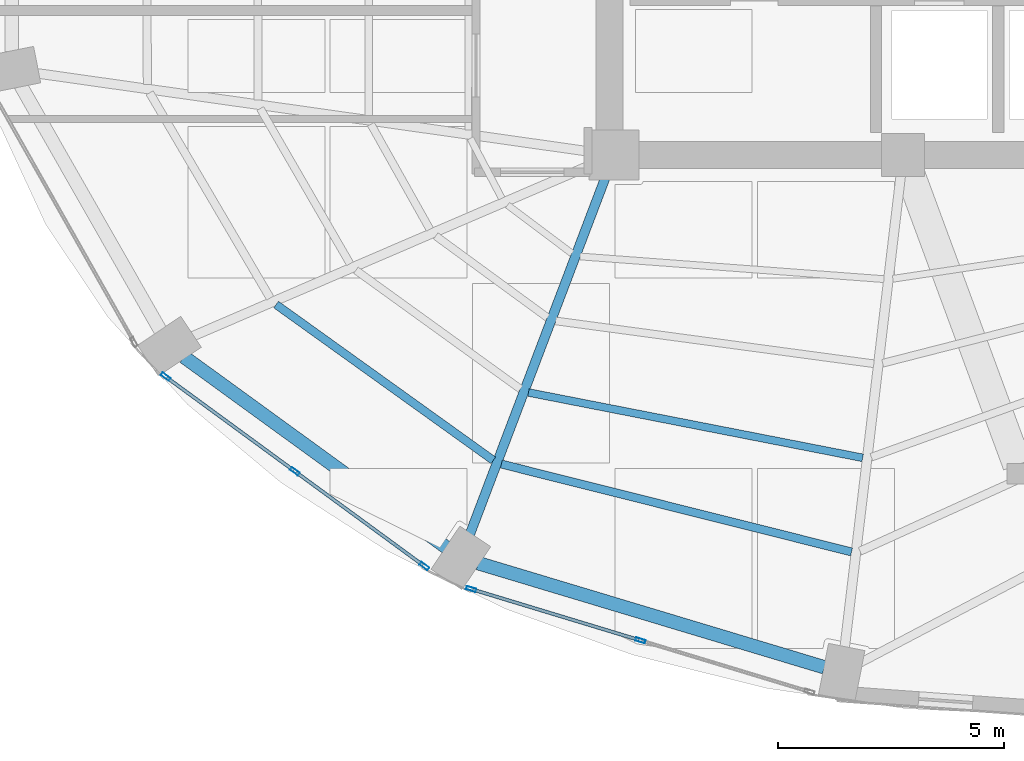
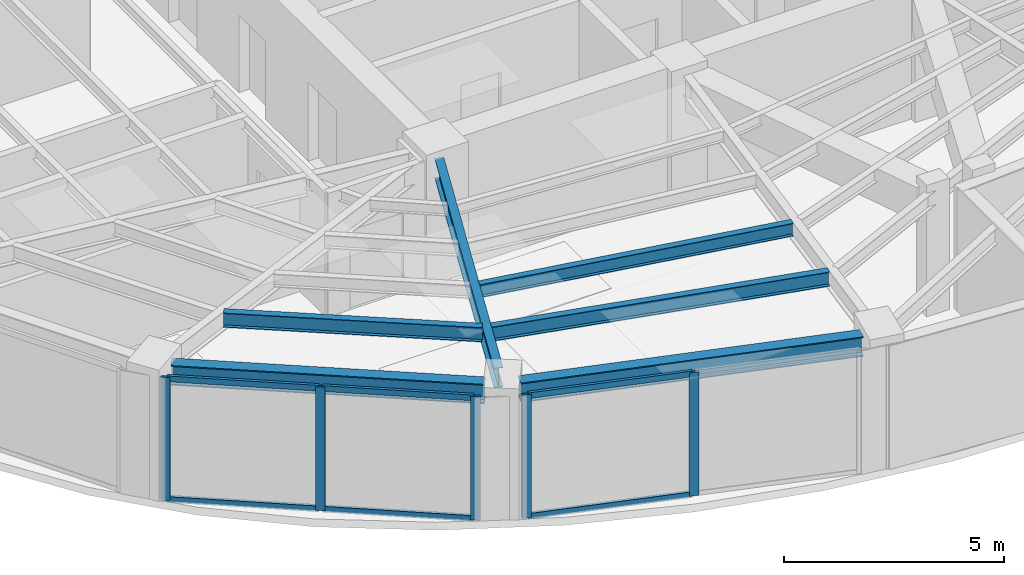
# One storey, part 2 of 20: 11 members, 6 beams, 2 elements without a shape of their own.
"""IFC4 building model written with IfcOpenShell, lengths in metres."""

from ifc_helpers import new_model, si_unit, direction, frame, origin, origin_2d, place, context, subcontext, project, spatial, hollow_rectangle, i_section, extrude, material, layer, layer_set, material_profile, profile_set, type_object, element, aggregate, save


model = new_model("IFC4")

# Units and contexts
model_context = context("Model", 3, precision=1e-05, world=origin(), true_north=direction((0.0, 1.0)))
body_context = subcontext(model_context, "Body", "Model", "MODEL_VIEW")
ifc_project = project(units=[si_unit("LENGTHUNIT", "METRE"), si_unit("AREAUNIT", "SQUARE_METRE"), si_unit("VOLUMEUNIT", "CUBIC_METRE"), si_unit("PLANEANGLEUNIT", "RADIAN"), si_unit("MASSUNIT", "GRAM", prefix="KILO")], contexts=[model_context])

# Site, building, storey
site_placement = place(None, origin())
site = spatial("IfcSite", under=ifc_project, at=site_placement, CompositionType="ELEMENT")
building_placement = place(site_placement, origin())
building = spatial("IfcBuilding", under=site, at=building_placement, Name="Lazwardi Medical Tower", CompositionType="ELEMENT")
storey_placement = place(building_placement, frame((0.0, 0.0, 174.76806640625)))
storey = spatial("IfcBuildingStorey", under=building, at=storey_placement, Name="L45", CompositionType="ELEMENT", Elevation=174.76806640625)

# Beams
ifc_material_1 = material(Name="Steel S355", Category="steel")
ifc_material_profile_1 = material_profile(ifc_material_1, i_section(OverallWidth=0.300048828125, OverallDepth=0.550048828125, WebThickness=0.014892578125, FlangeThickness=0.029052734375, at=origin_2d()), Name="HEB 550")
ifc_profile_set_1 = profile_set([ifc_material_profile_1], Name="Steel S355")
beam_type_1 = type_object("IfcBeamType", Name="BM-RB-Z3", PredefinedType="BEAM", material=ifc_profile_set_1)
beam_1_placement = place(storey_placement, frame((16.88818359375, 15.93408203125, 3.15283203125), z_axis=(0.809127570774, -0.587633026824, 0.0), x_axis=(0.587633026824, 0.809127570774, 0.0)))
element("IfcBeam", 1, at=beam_1_placement, inside=storey, type_object=beam_type_1, Name="Ring beam RB-04 B14 L45", PredefinedType="BEAM", context=body_context, shape_type="SweptSolid", body=[
    extrude(i_section(OverallWidth=0.300048828125, OverallDepth=0.550048828125, WebThickness=0.014892578125, FlangeThickness=0.029052734375, at=origin_2d()), origin(), (0.0, 0.0, 1.0), 7.170166015625),
])
beam_2_placement = place(storey_placement, frame((23.396484375, 11.37060546875, 3.15283203125), z_axis=(0.957616873483, -0.288045002771, 0.0), x_axis=(0.288045002771, 0.957616873483, 0.0)))
element("IfcBeam", 2, at=beam_2_placement, inside=storey, type_object=beam_type_1, Name="Ring beam RB-04 B15 L45", PredefinedType="BEAM", context=body_context, shape_type="SweptSolid", body=[
    extrude(i_section(OverallWidth=0.300048828125, OverallDepth=0.550048828125, WebThickness=0.014892578125, FlangeThickness=0.029052734375, at=origin_2d()), origin(), (0.0, 0.0, 1.0), 7.99951171875),
])
ifc_material_profile_2 = material_profile(ifc_material_1, i_section(OverallWidth=0.2099609375, OverallDepth=0.550048828125, WebThickness=0.010986328125, FlangeThickness=0.01708984375, at=origin_2d()), Name="IPE 550")
ifc_profile_set_2 = profile_set([ifc_material_profile_2], Name="Steel S355")
beam_type_2 = type_object("IfcBeamType", Name="BM-RG-W2", PredefinedType="BEAM", material=ifc_profile_set_2)
beam_3_placement = place(storey_placement, frame((23.21240234375, 12.00927734375, 3.15283203125), z_axis=(0.355126771712, 0.934818151307, 0.0), x_axis=(-0.934818151307, 0.355126771712, 0.0)))
element("IfcBeam", 3, at=beam_3_placement, inside=storey, type_object=beam_type_2, Name="Radial girder RG-03 R15 L45", PredefinedType="BEAM", context=body_context, shape_type="SweptSolid", body=[
    extrude(i_section(OverallWidth=0.2099609375, OverallDepth=0.550048828125, WebThickness=0.010986328125, FlangeThickness=0.01708984375, at=origin_2d()), origin(), (0.0, 0.0, 1.0), 8.44091796875),
])
ifc_material_profile_3 = material_profile(ifc_material_1, i_section(OverallWidth=0.179931640625, OverallDepth=0.39990234375, WebThickness=0.008544921875, FlangeThickness=0.013427734375, at=origin_2d()), Name="IPE 400")
ifc_profile_set_3 = profile_set([ifc_material_profile_3], Name="Steel S355")
beam_type_3 = type_object("IfcBeamType", Name="BM-SJ-01", PredefinedType="JOIST", material=ifc_profile_set_3)
beam_4_placement = place(storey_placement, frame((18.926025390625, 17.091796875, 3.22802734375), z_axis=(0.812602017757, -0.582818977675, 0.0), x_axis=(0.582818977675, 0.812602017757, 0.0)))
element("IfcBeam", 4, at=beam_4_placement, inside=storey, type_object=beam_type_3, Name="Secondary joist SJ-01 R1 B14 L45", PredefinedType="JOIST", context=body_context, shape_type="SweptSolid", body=[
    extrude(i_section(OverallWidth=0.179931640625, OverallDepth=0.39990234375, WebThickness=0.008544921875, FlangeThickness=0.013427734375, at=origin_2d()), origin(), (0.0, 0.0, 1.0), 5.91259765625),
])
beam_5_placement = place(storey_placement, frame((23.908935546875, 13.56298828125, 3.22802734375), z_axis=(0.969933596942, -0.243369713652, 0.0), x_axis=(0.243369713652, 0.969933596942, 0.0)))
element("IfcBeam", 5, at=beam_5_placement, inside=storey, type_object=beam_type_3, Name="Secondary joist SJ-01 R1 B15 L45", PredefinedType="JOIST", context=body_context, shape_type="SweptSolid", body=[
    extrude(i_section(OverallWidth=0.179931640625, OverallDepth=0.39990234375, WebThickness=0.008544921875, FlangeThickness=0.013427734375, at=origin_2d()), origin(), (0.0, 0.0, 1.0), 7.98828125),
])
ifc_material_profile_4 = material_profile(ifc_material_1, i_section(OverallWidth=0.169921875, OverallDepth=0.360107421875, WebThickness=0.008056640625, FlangeThickness=0.0126953125, at=origin_2d()), Name="IPE 360")
ifc_profile_set_4 = profile_set([ifc_material_profile_4], Name="Steel S355")
beam_type_4 = type_object("IfcBeamType", Name="BM-SJ-02", PredefinedType="JOIST", material=ifc_profile_set_4)
beam_6_placement = place(storey_placement, frame((24.509521484375, 15.146484375, 3.248046875), z_axis=(0.98141534692, -0.191895588353, 0.0), x_axis=(0.191895588353, 0.98141534692, 0.0)))
element("IfcBeam", 6, at=beam_6_placement, inside=storey, type_object=beam_type_4, Name="Secondary joist SJ-02 R2 B15 L45", PredefinedType="JOIST", context=body_context, shape_type="SweptSolid", body=[
    extrude(i_section(OverallWidth=0.169921875, OverallDepth=0.360107421875, WebThickness=0.008056640625, FlangeThickness=0.0126953125, at=origin_2d()), origin(), (0.0, 0.0, 1.0), 7.534423828125),
])

# Curtain wall, members
ifc_material_2 = material(Name="Anodised bronze aluminium and solar control glazing", Category="aluminium")
ifc_layer = layer(ifc_material_2, 0.195068359375)
ifc_layer_set = layer_set([ifc_layer], Name="Anodised bronze aluminium and solar control glazing")
curtain_wall_type = type_object("IfcCurtainWallType", Name="CW-SYS-03", PredefinedType="NOTDEFINED", material=ifc_layer_set)
curtain_wall_1_placement = place(storey_placement, origin())
curtain_wall_1 = element("IfcCurtainWall", 7, at=curtain_wall_1_placement, inside=storey, type_object=curtain_wall_type, Name="L45 Unitised bronze curtain wall CW-03", PredefinedType="NOTDEFINED")
ifc_material_3 = material(Name="Anodised bronze aluminium", Category="aluminium")
ifc_material_profile_5 = material_profile(ifc_material_3, hollow_rectangle(XDim=0.074951171875, YDim=0.219970703125, WallThickness=0.00390625, at=origin_2d()), Name="ALU-MULLION 220x75x4")
ifc_profile_set_5 = profile_set([ifc_material_profile_5], Name="Anodised bronze aluminium")
member_type_1 = type_object("IfcMemberType", Name="CW-MUL-01", PredefinedType="MULLION", material=ifc_profile_set_5)
member_1_placement = place(storey_placement, frame((16.480224609375, 15.4970703125, 0.0), z_axis=(0.0, 0.0, 1.0), x_axis=(0.590833862635, 0.806793249082, 0.0)))
member_1 = element("IfcMember", 8, at=member_1_placement, type_object=member_type_1, Name="CW-03 mullion 1", PredefinedType="MULLION", context=body_context, shape_type="SweptSolid", body=[
    extrude(hollow_rectangle(XDim=0.074951171875, YDim=0.219970703125, WallThickness=0.00390625, at=origin_2d()), origin(), (0.0, 0.0, 1.0), 3.427978515625),
])
member_2_placement = place(storey_placement, frame((19.34228515625, 13.401123046875, 0.0), z_axis=(0.0, 0.0, 1.0), x_axis=(0.590833862635, 0.806793249082, 0.0)))
member_2 = element("IfcMember", 9, at=member_2_placement, type_object=member_type_1, Name="CW-03 mullion 2", PredefinedType="MULLION", context=body_context, shape_type="SweptSolid", body=[
    extrude(hollow_rectangle(XDim=0.074951171875, YDim=0.219970703125, WallThickness=0.00390625, at=origin_2d()), origin(), (0.0, 0.0, 1.0), 3.427978515625),
])
member_3_placement = place(storey_placement, frame((22.204345703125, 11.30517578125, 0.0), z_axis=(0.0, 0.0, 1.0), x_axis=(0.590833862635, 0.806793249082, 0.0)))
member_3 = element("IfcMember", 10, at=member_3_placement, type_object=member_type_1, Name="CW-03 mullion 3", PredefinedType="MULLION", context=body_context, shape_type="SweptSolid", body=[
    extrude(hollow_rectangle(XDim=0.074951171875, YDim=0.219970703125, WallThickness=0.00390625, at=origin_2d()), origin(), (0.0, 0.0, 1.0), 3.427978515625),
])

curtain_wall_2_placement = place(storey_placement, origin())
curtain_wall_2 = element("IfcCurtainWall", 11, at=curtain_wall_2_placement, inside=storey, type_object=curtain_wall_type, Name="L45 Unitised bronze curtain wall CW-03", PredefinedType="NOTDEFINED")
member_4_placement = place(storey_placement, frame((23.241943359375, 10.796630859375, 0.0), z_axis=(0.0, 0.0, 1.0), x_axis=(0.290280785441, 0.956941516292, 0.0)))
member_4 = element("IfcMember", 12, at=member_4_placement, type_object=member_type_1, Name="CW-03 mullion 1", PredefinedType="MULLION", context=body_context, shape_type="SweptSolid", body=[
    extrude(hollow_rectangle(XDim=0.074951171875, YDim=0.219970703125, WallThickness=0.00390625, at=origin_2d()), origin(), (0.0, 0.0, 1.0), 3.427978515625),
])
member_5_placement = place(storey_placement, frame((26.98486328125, 9.661376953125, 0.0), z_axis=(0.0, 0.0, 1.0), x_axis=(0.290280785441, 0.956941516292, 0.0)))
member_5 = element("IfcMember", 13, at=member_5_placement, type_object=member_type_1, Name="CW-03 mullion 2", PredefinedType="MULLION", context=body_context, shape_type="SweptSolid", body=[
    extrude(hollow_rectangle(XDim=0.074951171875, YDim=0.219970703125, WallThickness=0.00390625, at=origin_2d()), origin(), (0.0, 0.0, 1.0), 3.427978515625),
])

# Member
ifc_material_profile_6 = material_profile(ifc_material_3, hollow_rectangle(XDim=0.074951171875, YDim=0.159912109375, WallThickness=0.00390625, at=origin_2d()), Name="ALU-TRANSOM 160x75x4")
ifc_profile_set_6 = profile_set([ifc_material_profile_6], Name="Anodised bronze aluminium")
member_type_2 = type_object("IfcMemberType", Name="CW-TRN-01", PredefinedType="USERDEFINED", material=ifc_profile_set_6)
member_6_placement = place(storey_placement, frame((16.510498046875, 15.474853515625, 0.037353515625), z_axis=(0.806807161185, -0.590814864962, 0.0), x_axis=(0.590814864962, 0.806807161185, 0.0)))
member_6 = element("IfcMember", 14, at=member_6_placement, type_object=member_type_2, Name="CW-03 transom 1.1", ObjectType="TRANSOM", PredefinedType="USERDEFINED", context=body_context, shape_type="SweptSolid", body=[
    extrude(hollow_rectangle(XDim=0.074951171875, YDim=0.159912109375, WallThickness=0.00390625, at=origin_2d()), origin(), (0.0, 0.0, 1.0), 3.472412109375),
])

member_7_placement = place(storey_placement, frame((16.510498046875, 15.474853515625, 3.390380859375), z_axis=(0.806807161185, -0.590814864962, 0.0), x_axis=(0.590814864962, 0.806807161185, 0.0)))
member_7 = element("IfcMember", 15, at=member_7_placement, type_object=member_type_2, Name="CW-03 transom 1.2", ObjectType="TRANSOM", PredefinedType="USERDEFINED", context=body_context, shape_type="SweptSolid", body=[
    extrude(hollow_rectangle(XDim=0.074951171875, YDim=0.159912109375, WallThickness=0.00390625, at=origin_2d()), origin(), (0.0, 0.0, 1.0), 3.472412109375),
])

member_8_placement = place(storey_placement, frame((19.37255859375, 13.37890625, 0.037353515625), z_axis=(0.806807161185, -0.590814864962, 0.0), x_axis=(0.590814864962, 0.806807161185, 0.0)))
member_8 = element("IfcMember", 16, at=member_8_placement, type_object=member_type_2, Name="CW-03 transom 2.1", ObjectType="TRANSOM", PredefinedType="USERDEFINED", context=body_context, shape_type="SweptSolid", body=[
    extrude(hollow_rectangle(XDim=0.074951171875, YDim=0.159912109375, WallThickness=0.00390625, at=origin_2d()), origin(), (0.0, 0.0, 1.0), 3.472412109375),
])

member_9_placement = place(storey_placement, frame((19.37255859375, 13.37890625, 3.390380859375), z_axis=(0.806807161185, -0.590814864962, 0.0), x_axis=(0.590814864962, 0.806807161185, 0.0)))
member_9 = element("IfcMember", 17, at=member_9_placement, type_object=member_type_2, Name="CW-03 transom 2.2", ObjectType="TRANSOM", PredefinedType="USERDEFINED", context=body_context, shape_type="SweptSolid", body=[
    extrude(hollow_rectangle(XDim=0.074951171875, YDim=0.159912109375, WallThickness=0.00390625, at=origin_2d()), origin(), (0.0, 0.0, 1.0), 3.472412109375),
])

aggregate(curtain_wall_1, [member_1, member_2, member_3, member_6, member_7, member_8, member_9])

member_10_placement = place(storey_placement, frame((23.27783203125, 10.785888671875, 0.037353515625), z_axis=(0.956930154175, -0.290318239233, 0.0), x_axis=(0.290318239233, 0.956930154175, 0.0)))
member_10 = element("IfcMember", 18, at=member_10_placement, type_object=member_type_2, Name="CW-03 transom 1.1", ObjectType="TRANSOM", PredefinedType="USERDEFINED", context=body_context, shape_type="SweptSolid", body=[
    extrude(hollow_rectangle(XDim=0.074951171875, YDim=0.159912109375, WallThickness=0.00390625, at=origin_2d()), origin(), (0.0, 0.0, 1.0), 3.83642578125),
])

member_11_placement = place(storey_placement, frame((23.27783203125, 10.785888671875, 3.390380859375), z_axis=(0.956930154175, -0.290318239233, 0.0), x_axis=(0.290318239233, 0.956930154175, 0.0)))
member_11 = element("IfcMember", 19, at=member_11_placement, type_object=member_type_2, Name="CW-03 transom 1.2", ObjectType="TRANSOM", PredefinedType="USERDEFINED", context=body_context, shape_type="SweptSolid", body=[
    extrude(hollow_rectangle(XDim=0.074951171875, YDim=0.159912109375, WallThickness=0.00390625, at=origin_2d()), origin(), (0.0, 0.0, 1.0), 3.83642578125),
])

aggregate(curtain_wall_2, [member_4, member_5, member_10, member_11])

save(model, "model.ifc")
